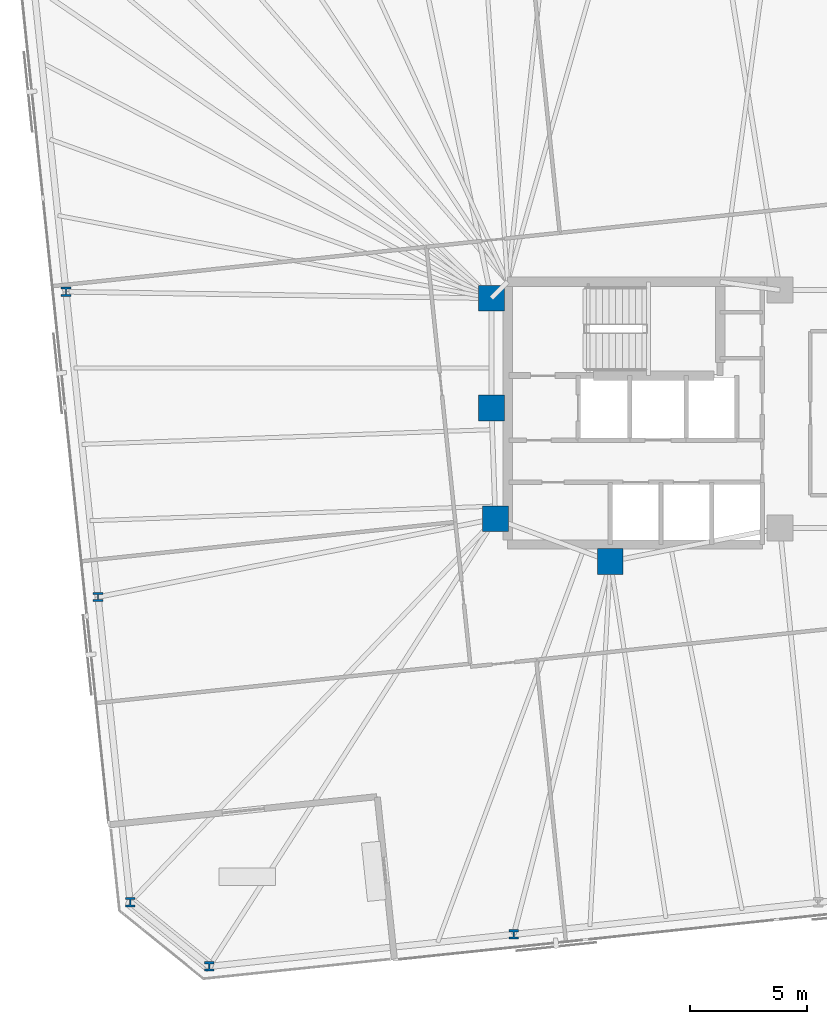
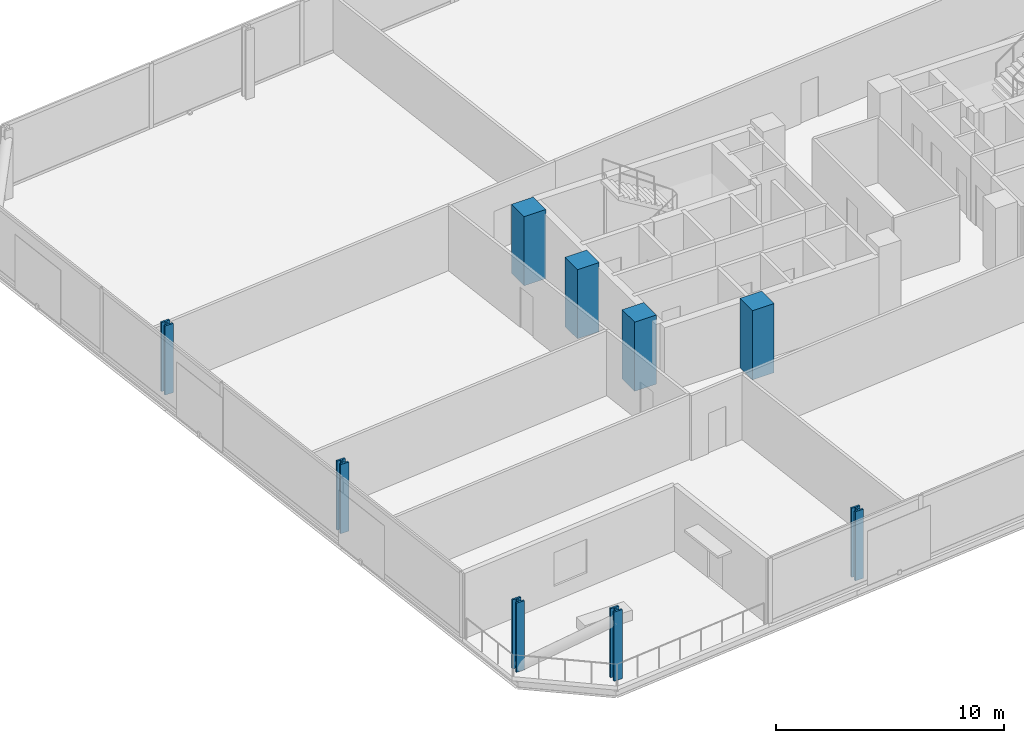
# One storey, part 1 of 18: 9 columns.
"""IFC4 building model written with IfcOpenShell, lengths in metres."""

from ifc_helpers import new_model, si_unit, direction, frame, origin, origin_2d, place, context, subcontext, project, spatial, rectangle, i_section, extrude, material, material_profile, profile_set, type_object, element, save


model = new_model("IFC4")

# Units and contexts
model_context = context("Model", 3, precision=1e-05, world=origin(), true_north=direction((0.0, 1.0)))
body_context = subcontext(model_context, "Body", "Model", "MODEL_VIEW")
ifc_project = project(units=[si_unit("LENGTHUNIT", "METRE"), si_unit("AREAUNIT", "SQUARE_METRE"), si_unit("VOLUMEUNIT", "CUBIC_METRE"), si_unit("PLANEANGLEUNIT", "RADIAN"), si_unit("MASSUNIT", "GRAM", prefix="KILO")], contexts=[model_context])

# Site, building, storey
site_placement = place(None, origin())
site = spatial("IfcSite", under=ifc_project, at=site_placement, CompositionType="ELEMENT")
building_placement = place(site_placement, origin())
building = spatial("IfcBuilding", under=site, at=building_placement, Name="Menara Jurai Vektor", CompositionType="ELEMENT")
storey_placement = place(building_placement, frame((0.0, 0.0, 113.300048828125)))
storey = spatial("IfcBuildingStorey", under=building, at=storey_placement, Name="L28", CompositionType="ELEMENT", Elevation=113.300048828125)

# Columns
ifc_material_1 = material(Name="Concrete C50/60", Category="concrete")
ifc_material_profile_1 = material_profile(ifc_material_1, rectangle(XDim=1.10009765625, YDim=1.10009765625, at=origin_2d()), Name="RC 1100x1100")
ifc_profile_set_1 = profile_set([ifc_material_profile_1], Name="Concrete C50/60")
column_type_1 = type_object("IfcColumnType", Name="STR-COL-RC1100", PredefinedType="COLUMN", material=ifc_profile_set_1)
for number, where, z_axis, x_axis, name in (
    (1, (-15.25, 4.89990234375, 0.0), (0.0, 0.0, 1.0), (1.0, 0.0, 0.0), "Core Spine Column CW-NW L28"),
    (2, (-15.25, 0.219970703125, 0.0), (0.0, 0.0, 1.0), (1.0, 0.0, 0.0), "Core Spine Column CW-WM L28"),
    (3, (-15.080078125, -4.5, 0.0), (0.0, 0.0, 1.0), (1.0, 0.0, 0.0), "Core Spine Column CW-SW L28"),
    (4, (-10.179931640625, -6.320068359375, 0.0), (0.0, 0.0, 1.0), (1.0, 0.0, 0.0), "Core Spine Column CW-SM L28"),
):
    element("IfcColumn", number, at=place(storey_placement, frame(where, z_axis=z_axis, x_axis=x_axis)), inside=storey, type_object=column_type_1, Name=name, PredefinedType="COLUMN", context=body_context, shape_type="SweptSolid", body=[
        extrude(rectangle(XDim=1.10009765625, YDim=1.10009765625, at=origin_2d()), origin(), (0.0, 0.0, 1.0), 3.699951171875),
    ])
ifc_material_2 = material(Name="Steel S460", Category="steel")
ifc_material_profile_2 = material_profile(ifc_material_2, i_section(OverallWidth=0.4130859375, OverallDepth=0.39794921875, WebThickness=0.055908203125, FlangeThickness=0.089111328125, FilletRadius=0.014892578125, at=origin_2d()), Name="HD 400x744")
ifc_profile_set_2 = profile_set([ifc_material_profile_2], Name="Steel S460")
column_type_2 = type_object("IfcColumnType", Name="STR-EXO-BLK2", PredefinedType="COLUMN", material=ifc_profile_set_2)
for number, where, z_axis, x_axis, name in (
    (5, (-27.2763671875, -23.586181640625, 0.0), (0.0, 0.0, 1.0), (1.0, 0.0, 0.0), "Exoskeleton Column BLK2-S1 L28"),
    (6, (-14.296630859375, -22.221923828125, 0.0), (0.0, 0.0, 1.0), (1.0, 0.0, 0.0), "Exoskeleton Column BLK2-S2 L28"),
    (7, (-33.388427734375, 5.175048828125, 0.0), (0.0, 0.0, 1.0), (1.0, 0.0, 0.0), "Exoskeleton Column BLK2-W2 L28"),
    (8, (-32.0205078125, -7.83837890625, 0.0), (0.0, 0.0, 1.0), (1.0, 0.0, 0.0), "Exoskeleton Column BLK2-W3 L28"),
    (9, (-30.65283203125, -20.85205078125, 0.0), (0.0, 0.0, 1.0), (1.0, 0.0, 0.0), "Exoskeleton Column BLK2-W4 L28"),
):
    element("IfcColumn", number, at=place(storey_placement, frame(where, z_axis=z_axis, x_axis=x_axis)), inside=storey, type_object=column_type_2, Name=name, PredefinedType="COLUMN", context=body_context, shape_type="SweptSolid", body=[
        extrude(i_section(OverallWidth=0.4130859375, OverallDepth=0.39794921875, WebThickness=0.055908203125, FlangeThickness=0.089111328125, FilletRadius=0.014892578125, at=origin_2d()), origin(), (0.0, 0.0, 1.0), 3.699951171875),
    ])

save(model, "model.ifc")
